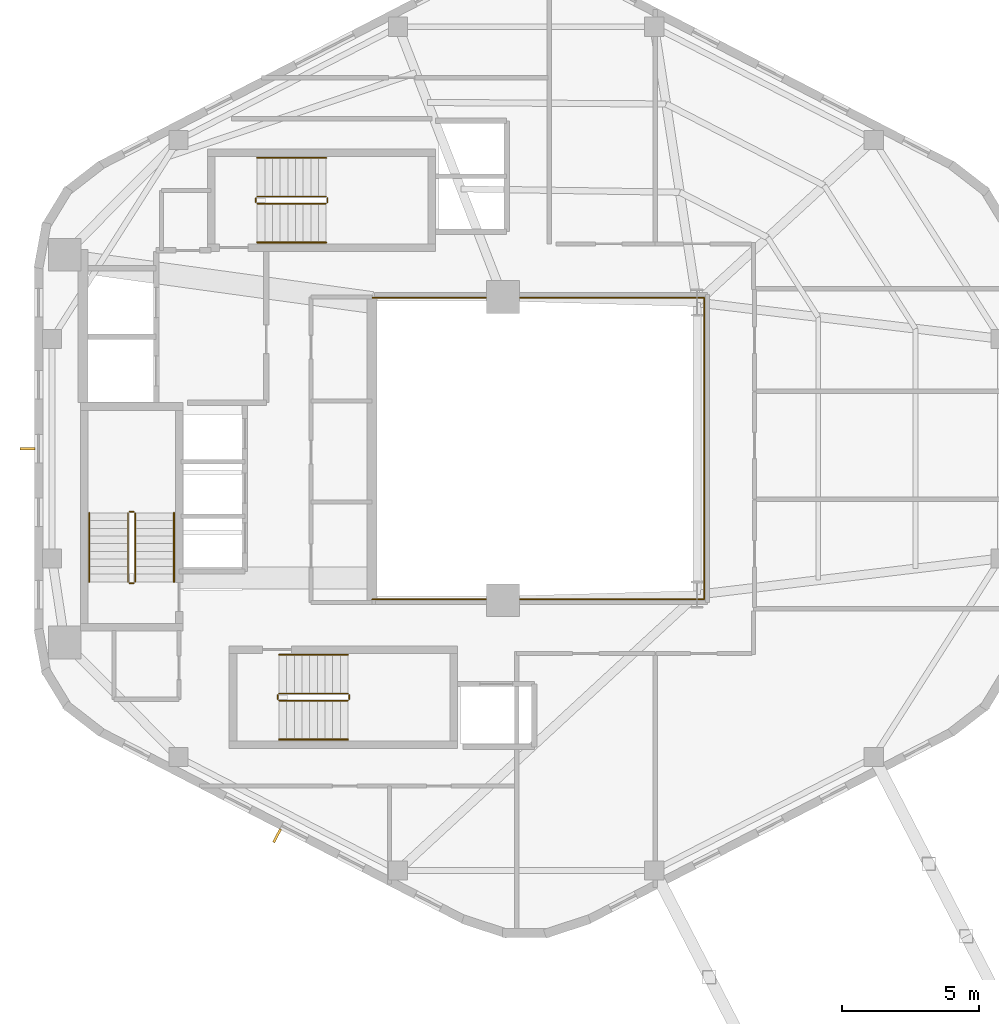
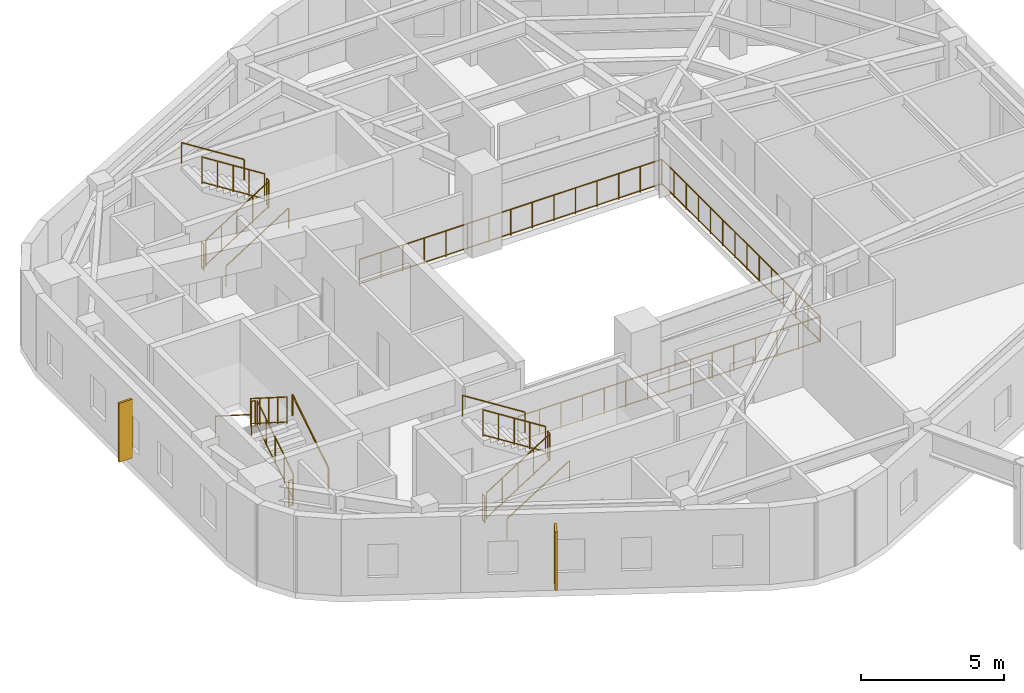
# One storey, part 6 of 6: 19 railings, 2 shading devices.
"""IFC4 building model written with IfcOpenShell, lengths in metres."""

import ifcopenshell
import ifcopenshell.guid

model = None  # the IFC model being written
_history = None  # IfcOwnerHistory: only IFC2X3 demands one
_inside = {}  # id of a spatial element -> (the spatial element, [elements in it])
_under = {}  # id of a project, library or spatial element -> (it, [spatial elements below it])
_declared = {}  # id of a project -> (the project, [libraries it declares])
_typed = {}  # id of a type object -> (the type object, [elements of that type])
_made_of = {}  # id of a material, layer set ... -> (it, [elements and type objects made of it])


def new_model(schema):
    """Start an empty IFC model of exactly this schema.

    Asked for "IFC4X3", IfcOpenShell would pick the latest addendum, in which some entities
    have other attributes; the version numbers below select the first issue.
    IFC2X3 requires an IfcOwnerHistory on every rooted entity: one is made here for all.
    """
    global model, _history
    if schema == "IFC4X3":
        model = ifcopenshell.file(schema_version=(4, 3, 0, 0))
    else:
        model = ifcopenshell.file(schema=schema)
    _inside.clear()
    _under.clear()
    _declared.clear()
    _typed.clear()
    _made_of.clear()
    _history = None
    if model.schema == "IFC2X3":
        org = make("IfcOrganization", Name="unknown")
        user = make(
            "IfcPersonAndOrganization",
            ThePerson=make("IfcPerson", FamilyName="unknown"),
            TheOrganization=org,
        )
        app = make(
            "IfcApplication",
            ApplicationDeveloper=org,
            Version="unknown",
            ApplicationFullName="unknown",
            ApplicationIdentifier="unknown",
        )
        _history = make(
            "IfcOwnerHistory",
            OwningUser=user,
            OwningApplication=app,
            ChangeAction="ADDED",
            CreationDate=0,
        )
    return model


def make(cls, **values):
    """One entity of the class cls with the attributes given. An attribute that is None is left unset."""
    return model.create_entity(
        cls, **{name: value for name, value in values.items() if value is not None}
    )


def rooted(cls, **values):
    """An entity with a GlobalId (a new one), such as an element, a storey or a relation."""
    return make(cls, GlobalId=ifcopenshell.guid.new(), OwnerHistory=_history, **values)


def si_unit(unit_type, name, prefix=None):
    """IfcSIUnit, for example si_unit("LENGTHUNIT", "METRE", prefix="MILLI")."""
    return make("IfcSIUnit", UnitType=unit_type, Prefix=prefix, Name=name)


def assignment(units):
    """IfcUnitAssignment: the units of a project."""
    return None if units is None else make("IfcUnitAssignment", Units=units)


def point(xyz):
    """IfcCartesianPoint."""
    return None if xyz is None else make("IfcCartesianPoint", Coordinates=xyz)


def direction(xyz):
    """IfcDirection."""
    return None if xyz is None else make("IfcDirection", DirectionRatios=xyz)


def frame(location, z_axis=None, x_axis=None):
    """IfcAxis2Placement3D, a coordinate frame: its origin and axes. An axis left out is left unset."""
    return make(
        "IfcAxis2Placement3D",
        Location=point(location),
        Axis=direction(z_axis),
        RefDirection=direction(x_axis),
    )


def frame_2d(location, x_axis=None):
    """IfcAxis2Placement2D, a coordinate frame in the plane: its origin and x axis."""
    return make(
        "IfcAxis2Placement2D", Location=point(location), RefDirection=direction(x_axis)
    )


def origin():
    """The frame at (0, 0, 0) with its axes left unset."""
    return frame((0.0, 0.0, 0.0))


def origin_2d():
    """The frame at (0, 0) in the plane with its x axis left unset."""
    return frame_2d((0.0, 0.0))


def place(relative_to, where):
    """IfcLocalPlacement: puts the frame where relative to a parent placement (None: the world)."""
    return make(
        "IfcLocalPlacement", PlacementRelTo=relative_to, RelativePlacement=where
    )


def context(
    kind, dimensions, precision=None, world=None, true_north=None, identifier=None
):
    """IfcGeometricRepresentationContext, for example the 3D "Model" context."""
    return make(
        "IfcGeometricRepresentationContext",
        ContextIdentifier=identifier,
        ContextType=kind,
        CoordinateSpaceDimension=dimensions,
        Precision=precision,
        WorldCoordinateSystem=world,
        TrueNorth=true_north,
    )


def subcontext(parent, identifier, kind, view, scale=None):
    """IfcGeometricRepresentationSubContext, for example "Body" below "Model"."""
    return make(
        "IfcGeometricRepresentationSubContext",
        ContextIdentifier=identifier,
        ContextType=kind,
        ParentContext=parent,
        TargetScale=scale,
        TargetView=view,
    )


def project(units=None, contexts=None):
    """IfcProject with its units and contexts."""
    return rooted(
        "IfcProject",
        Name="project",
        RepresentationContexts=contexts,
        UnitsInContext=assignment(units),
    )


def spatial(cls, under=None, at=None, **own):
    """A site, building, storey or space (cls), placed at a placement, below another one or the project."""
    s = rooted(cls, ObjectPlacement=at, **own)
    if under is not None:
        _under.setdefault(under.id(), (under, []))[1].append(s)
    return s


def profile(cls, at=None, kind="AREA", **sizes):
    """A parametric profile (cls). Its sizes go by their IFC names, for example OverallWidth=200.0."""
    return make(cls, ProfileType=kind, Position=at, **sizes)


def rectangle(**sizes):
    """IfcRectangleProfileDef."""
    return profile("IfcRectangleProfileDef", **sizes)


def circle(**sizes):
    """IfcCircleProfileDef."""
    return profile("IfcCircleProfileDef", **sizes)


def extrude(swept, where, along, depth):
    """IfcExtrudedAreaSolid: the profile swept, set in the frame where, extruded along a direction by depth."""
    return make(
        "IfcExtrudedAreaSolid",
        SweptArea=swept,
        Position=where,
        ExtrudedDirection=direction(along),
        Depth=depth,
    )


def shape(context_of_items, identifier, shape_type, items):
    """IfcShapeRepresentation: the items that make up one representation, for example the "Body"."""
    return make(
        "IfcShapeRepresentation",
        ContextOfItems=context_of_items,
        RepresentationIdentifier=identifier,
        RepresentationType=shape_type,
        Items=items,
    )


def material(Name=None, Category=None):
    """IfcMaterial."""
    return make("IfcMaterial", Name=Name, Category=Category)


def made_of(thing, what):
    """Note that an element or type object is made of a material, layer set ...; save() writes the relation."""
    if what is not None:
        _made_of.setdefault(what.id(), (what, []))[1].append(thing)
    return thing


def type_object(cls, material=None, **own):
    """A type object (cls), such as IfcWallType, which elements share."""
    return made_of(rooted(cls, **own), material)


def element(
    cls,
    number,
    at=None,
    inside=None,
    cuts=None,
    type_object=None,
    material=None,
    context=None,
    identifier="Body",
    shape_type=None,
    held_by="IfcProductDefinitionShape",
    body=None,
    shapes=None,
    **own,
):
    """One element of the class cls, such as IfcWall. Its Tag is "e" and its number.

    at: its placement. inside: the storey or other place that contains it. cuts: it is an
    opening in that element (IfcRelVoidsElement). A single representation is given by context,
    identifier, shape_type and body (its items); several are given by shapes. held_by: the class
    of the entity that holds the representations. save() writes the other relations.
    """
    e = rooted(cls, Tag="e%d" % number, ObjectPlacement=at, **own)
    if body is not None:
        shapes = [shape(context, identifier, shape_type, body)]
    if shapes is not None:
        e.Representation = make(held_by, Representations=shapes)
    if inside is not None:
        _inside.setdefault(inside.id(), (inside, []))[1].append(e)
    if cuts is not None:
        rooted(
            "IfcRelVoidsElement", RelatingBuildingElement=cuts, RelatedOpeningElement=e
        )
    if type_object is not None:
        _typed.setdefault(type_object.id(), (type_object, []))[1].append(e)
    return made_of(e, material)


def aggregate(whole, parts):
    """IfcRelAggregates: a whole, such as a stair, and the parts it consists of."""
    return rooted("IfcRelAggregates", RelatingObject=whole, RelatedObjects=parts)


def save(model, path):
    """Write the relations noted so far, then the file.

    IfcRelAggregates (storeys below a building ...), IfcRelContainedInSpatialStructure (elements
    in a storey), IfcRelDefinesByType, IfcRelAssociatesMaterial and IfcRelDeclares: one each for
    every whole, place, type object, material and project.
    """
    for whole, parts in _under.values():
        aggregate(whole, parts)
    for where, things in _inside.values():
        rooted(
            "IfcRelContainedInSpatialStructure",
            RelatedElements=things,
            RelatingStructure=where,
        )
    for kind, things in _typed.values():
        rooted("IfcRelDefinesByType", RelatedObjects=things, RelatingType=kind)
    for what, things in _made_of.values():
        rooted("IfcRelAssociatesMaterial", RelatedObjects=things, RelatingMaterial=what)
    for by, libraries in _declared.values():
        rooted("IfcRelDeclares", RelatingContext=by, RelatedDefinitions=libraries)
    model.write(path)


model = new_model("IFC4")

# Units and contexts
model_context = context("Model", 3, precision=1e-05, world=origin(), true_north=direction((0.0, 1.0)))
body_context = subcontext(model_context, "Body", "Model", "MODEL_VIEW")
ifc_project = project(units=[si_unit("LENGTHUNIT", "METRE"), si_unit("AREAUNIT", "SQUARE_METRE"), si_unit("VOLUMEUNIT", "CUBIC_METRE"), si_unit("PLANEANGLEUNIT", "RADIAN"), si_unit("MASSUNIT", "GRAM", prefix="KILO"), si_unit("THERMODYNAMICTEMPERATUREUNIT", "KELVIN"), si_unit("POWERUNIT", "WATT")], contexts=[model_context])

# Site, building, storey
site_placement = place(None, origin())
site = spatial("IfcSite", under=ifc_project, at=site_placement, CompositionType="ELEMENT")
building_placement = place(site_placement, origin())
building = spatial("IfcBuilding", under=site, at=building_placement, Name="Skarre Station Tower", CompositionType="ELEMENT")
storey_placement = place(building_placement, frame((0.0, 0.0, 231.25)))
storey = spatial("IfcBuildingStorey", under=building, at=storey_placement, Name="L63", CompositionType="ELEMENT", Elevation=231.25)

# Railing
ifc_material_1 = material(Name="Bronze Anodized Steel & Laminated Glass Balustrade", Category="steel")
railing_type_1 = type_object("IfcRailingType", Name="Atrium Void & Mezzanine Guard Balustrade 1120", PredefinedType="GUARDRAIL", material=ifc_material_1)
railing_1_placement = place(storey_placement, frame((27.550048828125, 18.47998046875, 0.0)))
element("IfcRailing", 1, at=railing_1_placement, inside=storey, type_object=railing_type_1, Name="L63 Atrium Void Guard Balustrade", PredefinedType="GUARDRAIL", context=body_context, shape_type="SweptSolid", body=[
    extrude(circle(Radius=0.02392578125, at=origin_2d()), frame((0.0, 0.0, 1.09619140625), z_axis=(1.0, 0.0, 0.0), x_axis=(0.0, 1.0, 0.0)), (0.0, 0.0, 1.0), 12.169921875),
    extrude(circle(Radius=0.02099609375, at=origin_2d()), frame((0.0, 0.0, 0.06005859375), z_axis=(1.0, 0.0, 0.0), x_axis=(0.0, 1.0, 0.0)), (0.0, 0.0, 1.0), 12.169921875),
    extrude(circle(Radius=0.02392578125, at=origin_2d()), frame((12.169921875, 0.0, 1.09619140625), z_axis=(0.0, 1.0, 0.0), x_axis=(-1.0, 0.0, 0.0)), (0.0, 0.0, 1.0), 11.0400390625),
    extrude(circle(Radius=0.02099609375, at=origin_2d()), frame((12.169921875, 0.0, 0.06005859375), z_axis=(0.0, 1.0, 0.0), x_axis=(-1.0, 0.0, 0.0)), (0.0, 0.0, 1.0), 11.0400390625),
    extrude(circle(Radius=0.02392578125, at=origin_2d()), frame((12.169921875, 11.0400390625, 1.09619140625), z_axis=(-1.0, 0.0, 0.0), x_axis=(0.0, -1.0, 0.0)), (0.0, 0.0, 1.0), 12.169921875),
    extrude(circle(Radius=0.02099609375, at=origin_2d()), frame((12.169921875, 11.0400390625, 0.06005859375), z_axis=(-1.0, 0.0, 0.0), x_axis=(0.0, -1.0, 0.0)), (0.0, 0.0, 1.0), 12.169921875),
    extrude(circle(Radius=0.02099609375, at=origin_2d()), origin(), (0.0, 0.0, 1.0), 1.072021484375),
    extrude(circle(Radius=0.02099609375, at=origin_2d()), frame((0.869384765625, 0.0, 0.0)), (0.0, 0.0, 1.0), 1.072021484375),
    extrude(circle(Radius=0.02099609375, at=origin_2d()), frame((1.738525390625, 0.0, 0.0)), (0.0, 0.0, 1.0), 1.072021484375),
    extrude(circle(Radius=0.02099609375, at=origin_2d()), frame((2.60791015625, 0.0, 0.0)), (0.0, 0.0, 1.0), 1.072021484375),
    extrude(circle(Radius=0.02099609375, at=origin_2d()), frame((3.47705078125, 0.0, 0.0)), (0.0, 0.0, 1.0), 1.072021484375),
    extrude(circle(Radius=0.02099609375, at=origin_2d()), frame((4.346435546875, 0.0, 0.0)), (0.0, 0.0, 1.0), 1.072021484375),
    extrude(circle(Radius=0.02099609375, at=origin_2d()), frame((5.215576171875, 0.0, 0.0)), (0.0, 0.0, 1.0), 1.072021484375),
    extrude(circle(Radius=0.02099609375, at=origin_2d()), frame((6.0849609375, 0.0, 0.0)), (0.0, 0.0, 1.0), 1.072021484375),
    extrude(circle(Radius=0.02099609375, at=origin_2d()), frame((6.954345703125, 0.0, 0.0)), (0.0, 0.0, 1.0), 1.072021484375),
    extrude(circle(Radius=0.02099609375, at=origin_2d()), frame((7.823486328125, 0.0, 0.0)), (0.0, 0.0, 1.0), 1.072021484375),
    extrude(circle(Radius=0.02099609375, at=origin_2d()), frame((8.69287109375, 0.0, 0.0)), (0.0, 0.0, 1.0), 1.072021484375),
    extrude(circle(Radius=0.02099609375, at=origin_2d()), frame((9.56201171875, 0.0, 0.0)), (0.0, 0.0, 1.0), 1.072021484375),
    extrude(circle(Radius=0.02099609375, at=origin_2d()), frame((10.431396484375, 0.0, 0.0)), (0.0, 0.0, 1.0), 1.072021484375),
    extrude(circle(Radius=0.02099609375, at=origin_2d()), frame((11.300537109375, 0.0, 0.0)), (0.0, 0.0, 1.0), 1.072021484375),
    extrude(circle(Radius=0.02099609375, at=origin_2d()), frame((12.169921875, 0.0, 0.0)), (0.0, 0.0, 1.0), 1.072021484375),
    extrude(circle(Radius=0.02099609375, at=origin_2d()), frame((12.169921875, 0.84912109375, 0.0)), (0.0, 0.0, 1.0), 1.072021484375),
    extrude(circle(Radius=0.02099609375, at=origin_2d()), frame((12.169921875, 1.698486328125, 0.0)), (0.0, 0.0, 1.0), 1.072021484375),
    extrude(circle(Radius=0.02099609375, at=origin_2d()), frame((12.169921875, 2.547607421875, 0.0)), (0.0, 0.0, 1.0), 1.072021484375),
    extrude(circle(Radius=0.02099609375, at=origin_2d()), frame((12.169921875, 3.39697265625, 0.0)), (0.0, 0.0, 1.0), 1.072021484375),
    extrude(circle(Radius=0.02099609375, at=origin_2d()), frame((12.169921875, 4.24609375, 0.0)), (0.0, 0.0, 1.0), 1.072021484375),
    extrude(circle(Radius=0.02099609375, at=origin_2d()), frame((12.169921875, 5.095458984375, 0.0)), (0.0, 0.0, 1.0), 1.072021484375),
    extrude(circle(Radius=0.02099609375, at=origin_2d()), frame((12.169921875, 5.944580078125, 0.0)), (0.0, 0.0, 1.0), 1.072021484375),
    extrude(circle(Radius=0.02099609375, at=origin_2d()), frame((12.169921875, 6.7939453125, 0.0)), (0.0, 0.0, 1.0), 1.072021484375),
    extrude(circle(Radius=0.02099609375, at=origin_2d()), frame((12.169921875, 7.64306640625, 0.0)), (0.0, 0.0, 1.0), 1.072021484375),
    extrude(circle(Radius=0.02099609375, at=origin_2d()), frame((12.169921875, 8.492431640625, 0.0)), (0.0, 0.0, 1.0), 1.072021484375),
    extrude(circle(Radius=0.02099609375, at=origin_2d()), frame((12.169921875, 9.341552734375, 0.0)), (0.0, 0.0, 1.0), 1.072021484375),
    extrude(circle(Radius=0.02099609375, at=origin_2d()), frame((12.169921875, 10.19091796875, 0.0)), (0.0, 0.0, 1.0), 1.072021484375),
    extrude(circle(Radius=0.02099609375, at=origin_2d()), frame((12.169921875, 11.0400390625, 0.0)), (0.0, 0.0, 1.0), 1.072021484375),
    extrude(circle(Radius=0.02099609375, at=origin_2d()), frame((11.300537109375, 11.0400390625, 0.0)), (0.0, 0.0, 1.0), 1.072021484375),
    extrude(circle(Radius=0.02099609375, at=origin_2d()), frame((10.431396484375, 11.0400390625, 0.0)), (0.0, 0.0, 1.0), 1.072021484375),
    extrude(circle(Radius=0.02099609375, at=origin_2d()), frame((9.56201171875, 11.0400390625, 0.0)), (0.0, 0.0, 1.0), 1.072021484375),
    extrude(circle(Radius=0.02099609375, at=origin_2d()), frame((8.69287109375, 11.0400390625, 0.0)), (0.0, 0.0, 1.0), 1.072021484375),
    extrude(circle(Radius=0.02099609375, at=origin_2d()), frame((7.823486328125, 11.0400390625, 0.0)), (0.0, 0.0, 1.0), 1.072021484375),
    extrude(circle(Radius=0.02099609375, at=origin_2d()), frame((6.954345703125, 11.0400390625, 0.0)), (0.0, 0.0, 1.0), 1.072021484375),
    extrude(circle(Radius=0.02099609375, at=origin_2d()), frame((6.0849609375, 11.0400390625, 0.0)), (0.0, 0.0, 1.0), 1.072021484375),
    extrude(circle(Radius=0.02099609375, at=origin_2d()), frame((5.215576171875, 11.0400390625, 0.0)), (0.0, 0.0, 1.0), 1.072021484375),
    extrude(circle(Radius=0.02099609375, at=origin_2d()), frame((4.346435546875, 11.0400390625, 0.0)), (0.0, 0.0, 1.0), 1.072021484375),
    extrude(circle(Radius=0.02099609375, at=origin_2d()), frame((3.47705078125, 11.0400390625, 0.0)), (0.0, 0.0, 1.0), 1.072021484375),
    extrude(circle(Radius=0.02099609375, at=origin_2d()), frame((2.60791015625, 11.0400390625, 0.0)), (0.0, 0.0, 1.0), 1.072021484375),
    extrude(circle(Radius=0.02099609375, at=origin_2d()), frame((1.738525390625, 11.0400390625, 0.0)), (0.0, 0.0, 1.0), 1.072021484375),
    extrude(circle(Radius=0.02099609375, at=origin_2d()), frame((0.869384765625, 11.0400390625, 0.0)), (0.0, 0.0, 1.0), 1.072021484375),
    extrude(circle(Radius=0.02099609375, at=origin_2d()), frame((0.0, 11.0400390625, 0.0)), (0.0, 0.0, 1.0), 1.072021484375),
])

# Shading devices
ifc_material_2 = material(Name="Bronze Anodized Extruded Aluminium 6063-T6", Category="aluminium")
shading_device_type = type_object("IfcShadingDeviceType", Name="Nordic Bronze Vertical Solar Fin 550x90", PredefinedType="SHUTTER", material=ifc_material_2)
for number, where, z_axis, x_axis, name in (
    (2, (14.93701171875, 24.0, 0.35009765625), (0.0, 0.0, 1.0), (-1.0, 0.0, 0.0), "L63 Facet 2 Bronze Solar Fin"),
    (3, (24.0791015625, 9.827880859375, 0.35009765625), (0.0, 0.0, 1.0), (-0.458711590553, -0.88858521071, 0.0), "L63 Facet 3 Bronze Solar Fin"),
):
    element("IfcShadingDevice", number, at=place(storey_placement, frame(where, z_axis=z_axis, x_axis=x_axis)), inside=storey, type_object=shading_device_type, Name=name, PredefinedType="SHUTTER", context=body_context, shape_type="SweptSolid", body=[
        extrude(rectangle(XDim=0.550048828125, YDim=0.090087890625, at=origin_2d()), origin(), (0.0, 0.0, 1.0), 2.5),
    ])

# Railings
ifc_material_3 = material(Name="Powder-Coated Tubular Steel", Category="steel")
railing_type_2 = type_object("IfcRailingType", Name="Painted Steel Ramp & Stair Handrail 920", PredefinedType="HANDRAIL", material=ifc_material_3)
railing_2_placement = place(storey_placement, frame((20.300048828125, 19.1201171875, 0.177490234375)))
element("IfcRailing", 4, at=railing_2_placement, inside=storey, type_object=railing_type_2, Name="L63 ST-1 stair handrail 1", PredefinedType="HANDRAIL", context=body_context, shape_type="SweptSolid", body=[
    extrude(circle(Radius=0.02392578125, at=origin_2d()), frame((0.0, 0.0, 0.8759765625), z_axis=(0.0, 0.844583492756, 0.535423872987), x_axis=(-1.0, 0.0, 0.0)), (0.0, 0.0, 1.0), 2.9833984375),
    extrude(circle(Radius=0.02099609375, at=origin_2d()), origin(), (0.0, 0.0, 1.0), 0.851806640625),
    extrude(circle(Radius=0.02099609375, at=origin_2d()), frame((0.0, 2.519775390625, 1.597412109375)), (0.0, 0.0, 1.0), 0.851806640625),
])
railing_3_placement = place(storey_placement, frame((17.199951171875, 21.639892578125, 1.952392578125)))
element("IfcRailing", 5, at=railing_3_placement, inside=storey, type_object=railing_type_2, Name="L63 ST-1 stair handrail 2", PredefinedType="HANDRAIL", context=body_context, shape_type="SweptSolid", body=[
    extrude(circle(Radius=0.02392578125, at=origin_2d()), frame((0.0, 0.0, 0.8759765625), z_axis=(0.0, -0.844546487299, 0.535482241341), x_axis=(1.0, 0.0, 0.0)), (0.0, 0.0, 1.0), 2.983642578125),
    extrude(circle(Radius=0.02099609375, at=origin_2d()), origin(), (0.0, 0.0, 1.0), 0.851806640625),
    extrude(circle(Radius=0.02099609375, at=origin_2d()), frame((0.0, -2.519775390625, 1.59765625)), (0.0, 0.0, 1.0), 0.851806640625),
])
railing_4_placement = place(storey_placement, frame((24.14990234375, 13.35009765625, 0.177490234375)))
element("IfcRailing", 6, at=railing_4_placement, inside=storey, type_object=railing_type_2, Name="L63 ST-2 stair handrail 1", PredefinedType="HANDRAIL", context=body_context, shape_type="SweptSolid", body=[
    extrude(circle(Radius=0.02392578125, at=origin_2d()), frame((0.0, 0.0, 0.8759765625), z_axis=(0.84460694969, 0.0, 0.535386869969), x_axis=(0.0, 1.0, 0.0)), (0.0, 0.0, 1.0), 2.983642578125),
    extrude(circle(Radius=0.02099609375, at=origin_2d()), origin(), (0.0, 0.0, 1.0), 0.851806640625),
    extrude(circle(Radius=0.02099609375, at=origin_2d()), frame((2.52001953125, 0.0, 1.597412109375)), (0.0, 0.0, 1.0), 0.851806640625),
])
railing_5_placement = place(storey_placement, frame((26.669921875, 16.449951171875, 1.952392578125)))
element("IfcRailing", 7, at=railing_5_placement, inside=storey, type_object=railing_type_2, Name="L63 ST-2 stair handrail 2", PredefinedType="HANDRAIL", context=body_context, shape_type="SweptSolid", body=[
    extrude(circle(Radius=0.02392578125, at=origin_2d()), frame((0.0, 0.0, 0.8759765625), z_axis=(-0.84456994832, 0.0, 0.535445237532), x_axis=(0.0, -1.0, 0.0)), (0.0, 0.0, 1.0), 2.98388671875),
    extrude(circle(Radius=0.02099609375, at=origin_2d()), origin(), (0.0, 0.0, 1.0), 0.851806640625),
    extrude(circle(Radius=0.02099609375, at=origin_2d()), frame((-2.52001953125, 0.0, 1.59765625)), (0.0, 0.0, 1.0), 0.851806640625),
])
railing_6_placement = place(storey_placement, frame((23.35009765625, 31.550048828125, 0.177490234375)))
element("IfcRailing", 8, at=railing_6_placement, inside=storey, type_object=railing_type_2, Name="L63 ST-3 stair handrail 1", PredefinedType="HANDRAIL", context=body_context, shape_type="SweptSolid", body=[
    extrude(circle(Radius=0.02392578125, at=origin_2d()), frame((0.0, 0.0, 0.8759765625), z_axis=(0.84460694969, 0.0, 0.535386869969), x_axis=(0.0, 1.0, 0.0)), (0.0, 0.0, 1.0), 2.983642578125),
    extrude(circle(Radius=0.02099609375, at=origin_2d()), origin(), (0.0, 0.0, 1.0), 0.851806640625),
    extrude(circle(Radius=0.02099609375, at=origin_2d()), frame((2.52001953125, 0.0, 1.597412109375)), (0.0, 0.0, 1.0), 0.851806640625),
])
railing_7_placement = place(storey_placement, frame((25.8701171875, 34.64990234375, 1.952392578125)))
element("IfcRailing", 9, at=railing_7_placement, inside=storey, type_object=railing_type_2, Name="L63 ST-3 stair handrail 2", PredefinedType="HANDRAIL", context=body_context, shape_type="SweptSolid", body=[
    extrude(circle(Radius=0.02392578125, at=origin_2d()), frame((0.0, 0.0, 0.8759765625), z_axis=(-0.84456994832, 0.0, 0.535445237532), x_axis=(0.0, -1.0, 0.0)), (0.0, 0.0, 1.0), 2.98388671875),
    extrude(circle(Radius=0.02099609375, at=origin_2d()), origin(), (0.0, 0.0, 1.0), 0.851806640625),
    extrude(circle(Radius=0.02099609375, at=origin_2d()), frame((-2.52001953125, 0.0, 1.59765625)), (0.0, 0.0, 1.0), 0.851806640625),
])
railing_type_3 = type_object("IfcRailingType", Name="Painted Steel Stairwell Guardrail 1100", PredefinedType="GUARDRAIL", material=ifc_material_3)
railing_8_placement = place(storey_placement, frame((18.8798828125, 19.1201171875, 0.177490234375)))
element("IfcRailing", 10, at=railing_8_placement, inside=storey, type_object=railing_type_3, Name="L63 ST-1 stair guard 1", PredefinedType="GUARDRAIL", context=body_context, shape_type="SweptSolid", body=[
    extrude(circle(Radius=0.02392578125, at=origin_2d()), frame((0.0, 0.0, 1.1259765625), z_axis=(0.0, 0.844583492756, 0.535423872987), x_axis=(-1.0, 0.0, 0.0)), (0.0, 0.0, 1.0), 2.9833984375),
    extrude(circle(Radius=0.02099609375, at=origin_2d()), frame((0.0, 0.0, 0.06005859375), z_axis=(0.0, 0.844583492756, 0.535423872987), x_axis=(-1.0, 0.0, 0.0)), (0.0, 0.0, 1.0), 2.9833984375),
    extrude(circle(Radius=0.02099609375, at=origin_2d()), origin(), (0.0, 0.0, 1.0), 1.101806640625),
    extrude(circle(Radius=0.02099609375, at=origin_2d()), frame((0.0, 0.6298828125, 0.3994140625)), (0.0, 0.0, 1.0), 1.101806640625),
    extrude(circle(Radius=0.02099609375, at=origin_2d()), frame((0.0, 1.259765625, 0.798828125)), (0.0, 0.0, 1.0), 1.101806640625),
    extrude(circle(Radius=0.02099609375, at=origin_2d()), frame((0.0, 1.889892578125, 1.197998046875)), (0.0, 0.0, 1.0), 1.101806640625),
    extrude(circle(Radius=0.02099609375, at=origin_2d()), frame((0.0, 2.519775390625, 1.597412109375)), (0.0, 0.0, 1.0), 1.101806640625),
])
railing_9_placement = place(storey_placement, frame((18.830078125, 21.68994140625, 1.77490234375)))
element("IfcRailing", 11, at=railing_9_placement, inside=storey, type_object=railing_type_3, Name="L63 ST-1 stair guard 2", PredefinedType="GUARDRAIL", context=body_context, shape_type="SweptSolid", body=[
    extrude(circle(Radius=0.02392578125, at=origin_2d()), frame((0.0, 0.0, 1.1259765625), z_axis=(-1.0, 0.0, 0.0), x_axis=(0.0, -1.0, 0.0)), (0.0, 0.0, 1.0), 0.16015625),
    extrude(circle(Radius=0.02099609375, at=origin_2d()), frame((0.0, 0.0, 0.06005859375), z_axis=(-1.0, 0.0, 0.0), x_axis=(0.0, -1.0, 0.0)), (0.0, 0.0, 1.0), 0.16015625),
    extrude(circle(Radius=0.02099609375, at=origin_2d()), origin(), (0.0, 0.0, 1.0), 1.101806640625),
    extrude(circle(Radius=0.02099609375, at=origin_2d()), frame((-0.16015625, 0.0, 0.0)), (0.0, 0.0, 1.0), 1.101806640625),
])
railing_10_placement = place(storey_placement, frame((18.6201171875, 21.639892578125, 1.952392578125)))
element("IfcRailing", 12, at=railing_10_placement, inside=storey, type_object=railing_type_3, Name="L63 ST-1 stair guard 3", PredefinedType="GUARDRAIL", context=body_context, shape_type="SweptSolid", body=[
    extrude(circle(Radius=0.02392578125, at=origin_2d()), frame((0.0, 0.0, 1.1259765625), z_axis=(0.0, -0.844546487299, 0.535482241341), x_axis=(1.0, 0.0, 0.0)), (0.0, 0.0, 1.0), 2.983642578125),
    extrude(circle(Radius=0.02099609375, at=origin_2d()), frame((0.0, 0.0, 0.06005859375), z_axis=(0.0, -0.844546487299, 0.535482241341), x_axis=(1.0, 0.0, 0.0)), (0.0, 0.0, 1.0), 2.983642578125),
    extrude(circle(Radius=0.02099609375, at=origin_2d()), origin(), (0.0, 0.0, 1.0), 1.101806640625),
    extrude(circle(Radius=0.02099609375, at=origin_2d()), frame((0.0, -0.6298828125, 0.3994140625)), (0.0, 0.0, 1.0), 1.101806640625),
    extrude(circle(Radius=0.02099609375, at=origin_2d()), frame((0.0, -1.259765625, 0.798828125)), (0.0, 0.0, 1.0), 1.101806640625),
    extrude(circle(Radius=0.02099609375, at=origin_2d()), frame((0.0, -1.889892578125, 1.1982421875)), (0.0, 0.0, 1.0), 1.101806640625),
    extrude(circle(Radius=0.02099609375, at=origin_2d()), frame((0.0, -2.519775390625, 1.59765625)), (0.0, 0.0, 1.0), 1.101806640625),
])
railing_11_placement = place(storey_placement, frame((18.830078125, 19.070068359375, 0.0)))
element("IfcRailing", 13, at=railing_11_placement, inside=storey, type_object=railing_type_3, Name="L63 ST-1 stair guard 4", PredefinedType="GUARDRAIL", context=body_context, shape_type="SweptSolid", body=[
    extrude(circle(Radius=0.02392578125, at=origin_2d()), frame((0.0, 0.0, 1.1259765625), z_axis=(-1.0, 0.0, 0.0), x_axis=(0.0, -1.0, 0.0)), (0.0, 0.0, 1.0), 0.16015625),
    extrude(circle(Radius=0.02099609375, at=origin_2d()), frame((0.0, 0.0, 0.06005859375), z_axis=(-1.0, 0.0, 0.0), x_axis=(0.0, -1.0, 0.0)), (0.0, 0.0, 1.0), 0.16015625),
    extrude(circle(Radius=0.02099609375, at=origin_2d()), origin(), (0.0, 0.0, 1.0), 1.101806640625),
    extrude(circle(Radius=0.02099609375, at=origin_2d()), frame((-0.16015625, 0.0, 0.0)), (0.0, 0.0, 1.0), 1.101806640625),
])
railing_12_placement = place(storey_placement, frame((24.14990234375, 14.77001953125, 0.177490234375)))
element("IfcRailing", 14, at=railing_12_placement, inside=storey, type_object=railing_type_3, Name="L63 ST-2 stair guard 1", PredefinedType="GUARDRAIL", context=body_context, shape_type="SweptSolid", body=[
    extrude(circle(Radius=0.02392578125, at=origin_2d()), frame((0.0, 0.0, 1.1259765625), z_axis=(0.84460694969, 0.0, 0.535386869969), x_axis=(0.0, 1.0, 0.0)), (0.0, 0.0, 1.0), 2.983642578125),
    extrude(circle(Radius=0.02099609375, at=origin_2d()), frame((0.0, 0.0, 0.06005859375), z_axis=(0.84460694969, 0.0, 0.535386869969), x_axis=(0.0, 1.0, 0.0)), (0.0, 0.0, 1.0), 2.983642578125),
    extrude(circle(Radius=0.02099609375, at=origin_2d()), origin(), (0.0, 0.0, 1.0), 1.101806640625),
    extrude(circle(Radius=0.02099609375, at=origin_2d()), frame((0.6298828125, 0.0, 0.3994140625)), (0.0, 0.0, 1.0), 1.101806640625),
    extrude(circle(Radius=0.02099609375, at=origin_2d()), frame((1.260009765625, 0.0, 0.798828125)), (0.0, 0.0, 1.0), 1.101806640625),
    extrude(circle(Radius=0.02099609375, at=origin_2d()), frame((1.89013671875, 0.0, 1.197998046875)), (0.0, 0.0, 1.0), 1.101806640625),
    extrude(circle(Radius=0.02099609375, at=origin_2d()), frame((2.52001953125, 0.0, 1.597412109375)), (0.0, 0.0, 1.0), 1.101806640625),
])
railing_13_placement = place(storey_placement, frame((26.719970703125, 14.820068359375, 1.77490234375)))
element("IfcRailing", 15, at=railing_13_placement, inside=storey, type_object=railing_type_3, Name="L63 ST-2 stair guard 2", PredefinedType="GUARDRAIL", context=body_context, shape_type="SweptSolid", body=[
    extrude(circle(Radius=0.02392578125, at=origin_2d()), frame((0.0, 0.0, 1.1259765625), z_axis=(0.0, 1.0, 0.0), x_axis=(-1.0, 0.0, 0.0)), (0.0, 0.0, 1.0), 0.159912109375),
    extrude(circle(Radius=0.02099609375, at=origin_2d()), frame((0.0, 0.0, 0.06005859375), z_axis=(0.0, 1.0, 0.0), x_axis=(-1.0, 0.0, 0.0)), (0.0, 0.0, 1.0), 0.159912109375),
    extrude(circle(Radius=0.02099609375, at=origin_2d()), origin(), (0.0, 0.0, 1.0), 1.101806640625),
    extrude(circle(Radius=0.02099609375, at=origin_2d()), frame((0.0, 0.159912109375, 0.0)), (0.0, 0.0, 1.0), 1.101806640625),
])
railing_14_placement = place(storey_placement, frame((26.669921875, 15.030029296875, 1.952392578125)))
element("IfcRailing", 16, at=railing_14_placement, inside=storey, type_object=railing_type_3, Name="L63 ST-2 stair guard 3", PredefinedType="GUARDRAIL", context=body_context, shape_type="SweptSolid", body=[
    extrude(circle(Radius=0.02392578125, at=origin_2d()), frame((0.0, 0.0, 1.1259765625), z_axis=(-0.84456994832, 0.0, 0.535445237532), x_axis=(0.0, -1.0, 0.0)), (0.0, 0.0, 1.0), 2.98388671875),
    extrude(circle(Radius=0.02099609375, at=origin_2d()), frame((0.0, 0.0, 0.06005859375), z_axis=(-0.84456994832, 0.0, 0.535445237532), x_axis=(0.0, -1.0, 0.0)), (0.0, 0.0, 1.0), 2.98388671875),
    extrude(circle(Radius=0.02099609375, at=origin_2d()), origin(), (0.0, 0.0, 1.0), 1.101806640625),
    extrude(circle(Radius=0.02099609375, at=origin_2d()), frame((-0.6298828125, 0.0, 0.3994140625)), (0.0, 0.0, 1.0), 1.101806640625),
    extrude(circle(Radius=0.02099609375, at=origin_2d()), frame((-1.260009765625, 0.0, 0.798828125)), (0.0, 0.0, 1.0), 1.101806640625),
    extrude(circle(Radius=0.02099609375, at=origin_2d()), frame((-1.89013671875, 0.0, 1.1982421875)), (0.0, 0.0, 1.0), 1.101806640625),
    extrude(circle(Radius=0.02099609375, at=origin_2d()), frame((-2.52001953125, 0.0, 1.59765625)), (0.0, 0.0, 1.0), 1.101806640625),
])
railing_15_placement = place(storey_placement, frame((24.10009765625, 14.820068359375, 0.0)))
element("IfcRailing", 17, at=railing_15_placement, inside=storey, type_object=railing_type_3, Name="L63 ST-2 stair guard 4", PredefinedType="GUARDRAIL", context=body_context, shape_type="SweptSolid", body=[
    extrude(circle(Radius=0.02392578125, at=origin_2d()), frame((0.0, 0.0, 1.1259765625), z_axis=(0.0, 1.0, 0.0), x_axis=(-1.0, 0.0, 0.0)), (0.0, 0.0, 1.0), 0.159912109375),
    extrude(circle(Radius=0.02099609375, at=origin_2d()), frame((0.0, 0.0, 0.06005859375), z_axis=(0.0, 1.0, 0.0), x_axis=(-1.0, 0.0, 0.0)), (0.0, 0.0, 1.0), 0.159912109375),
    extrude(circle(Radius=0.02099609375, at=origin_2d()), origin(), (0.0, 0.0, 1.0), 1.101806640625),
    extrude(circle(Radius=0.02099609375, at=origin_2d()), frame((0.0, 0.159912109375, 0.0)), (0.0, 0.0, 1.0), 1.101806640625),
])
railing_16_placement = place(storey_placement, frame((23.35009765625, 32.969970703125, 0.177490234375)))
element("IfcRailing", 18, at=railing_16_placement, inside=storey, type_object=railing_type_3, Name="L63 ST-3 stair guard 1", PredefinedType="GUARDRAIL", context=body_context, shape_type="SweptSolid", body=[
    extrude(circle(Radius=0.02392578125, at=origin_2d()), frame((0.0, 0.0, 1.1259765625), z_axis=(0.84460694969, 0.0, 0.535386869969), x_axis=(0.0, 1.0, 0.0)), (0.0, 0.0, 1.0), 2.983642578125),
    extrude(circle(Radius=0.02099609375, at=origin_2d()), frame((0.0, 0.0, 0.06005859375), z_axis=(0.84460694969, 0.0, 0.535386869969), x_axis=(0.0, 1.0, 0.0)), (0.0, 0.0, 1.0), 2.983642578125),
    extrude(circle(Radius=0.02099609375, at=origin_2d()), origin(), (0.0, 0.0, 1.0), 1.101806640625),
    extrude(circle(Radius=0.02099609375, at=origin_2d()), frame((0.6298828125, 0.0, 0.3994140625)), (0.0, 0.0, 1.0), 1.101806640625),
    extrude(circle(Radius=0.02099609375, at=origin_2d()), frame((1.260009765625, 0.0, 0.798828125)), (0.0, 0.0, 1.0), 1.101806640625),
    extrude(circle(Radius=0.02099609375, at=origin_2d()), frame((1.89013671875, 0.0, 1.197998046875)), (0.0, 0.0, 1.0), 1.101806640625),
    extrude(circle(Radius=0.02099609375, at=origin_2d()), frame((2.52001953125, 0.0, 1.597412109375)), (0.0, 0.0, 1.0), 1.101806640625),
])
railing_17_placement = place(storey_placement, frame((25.919921875, 33.02001953125, 1.77490234375)))
element("IfcRailing", 19, at=railing_17_placement, inside=storey, type_object=railing_type_3, Name="L63 ST-3 stair guard 2", PredefinedType="GUARDRAIL", context=body_context, shape_type="SweptSolid", body=[
    extrude(circle(Radius=0.02392578125, at=origin_2d()), frame((0.0, 0.0, 1.1259765625), z_axis=(0.0, 1.0, 0.0), x_axis=(-1.0, 0.0, 0.0)), (0.0, 0.0, 1.0), 0.159912109375),
    extrude(circle(Radius=0.02099609375, at=origin_2d()), frame((0.0, 0.0, 0.06005859375), z_axis=(0.0, 1.0, 0.0), x_axis=(-1.0, 0.0, 0.0)), (0.0, 0.0, 1.0), 0.159912109375),
    extrude(circle(Radius=0.02099609375, at=origin_2d()), origin(), (0.0, 0.0, 1.0), 1.101806640625),
    extrude(circle(Radius=0.02099609375, at=origin_2d()), frame((0.0, 0.159912109375, 0.0)), (0.0, 0.0, 1.0), 1.101806640625),
])
railing_18_placement = place(storey_placement, frame((25.8701171875, 33.22998046875, 1.952392578125)))
element("IfcRailing", 20, at=railing_18_placement, inside=storey, type_object=railing_type_3, Name="L63 ST-3 stair guard 3", PredefinedType="GUARDRAIL", context=body_context, shape_type="SweptSolid", body=[
    extrude(circle(Radius=0.02392578125, at=origin_2d()), frame((0.0, 0.0, 1.1259765625), z_axis=(-0.84456994832, 0.0, 0.535445237532), x_axis=(0.0, -1.0, 0.0)), (0.0, 0.0, 1.0), 2.98388671875),
    extrude(circle(Radius=0.02099609375, at=origin_2d()), frame((0.0, 0.0, 0.06005859375), z_axis=(-0.84456994832, 0.0, 0.535445237532), x_axis=(0.0, -1.0, 0.0)), (0.0, 0.0, 1.0), 2.98388671875),
    extrude(circle(Radius=0.02099609375, at=origin_2d()), origin(), (0.0, 0.0, 1.0), 1.101806640625),
    extrude(circle(Radius=0.02099609375, at=origin_2d()), frame((-0.6298828125, 0.0, 0.3994140625)), (0.0, 0.0, 1.0), 1.101806640625),
    extrude(circle(Radius=0.02099609375, at=origin_2d()), frame((-1.260009765625, 0.0, 0.798828125)), (0.0, 0.0, 1.0), 1.101806640625),
    extrude(circle(Radius=0.02099609375, at=origin_2d()), frame((-1.89013671875, 0.0, 1.1982421875)), (0.0, 0.0, 1.0), 1.101806640625),
    extrude(circle(Radius=0.02099609375, at=origin_2d()), frame((-2.52001953125, 0.0, 1.59765625)), (0.0, 0.0, 1.0), 1.101806640625),
])
railing_19_placement = place(storey_placement, frame((23.300048828125, 33.02001953125, 0.0)))
element("IfcRailing", 21, at=railing_19_placement, inside=storey, type_object=railing_type_3, Name="L63 ST-3 stair guard 4", PredefinedType="GUARDRAIL", context=body_context, shape_type="SweptSolid", body=[
    extrude(circle(Radius=0.02392578125, at=origin_2d()), frame((0.0, 0.0, 1.1259765625), z_axis=(0.0, 1.0, 0.0), x_axis=(-1.0, 0.0, 0.0)), (0.0, 0.0, 1.0), 0.159912109375),
    extrude(circle(Radius=0.02099609375, at=origin_2d()), frame((0.0, 0.0, 0.06005859375), z_axis=(0.0, 1.0, 0.0), x_axis=(-1.0, 0.0, 0.0)), (0.0, 0.0, 1.0), 0.159912109375),
    extrude(circle(Radius=0.02099609375, at=origin_2d()), origin(), (0.0, 0.0, 1.0), 1.101806640625),
    extrude(circle(Radius=0.02099609375, at=origin_2d()), frame((0.0, 0.159912109375, 0.0)), (0.0, 0.0, 1.0), 1.101806640625),
])

save(model, "model.ifc")
